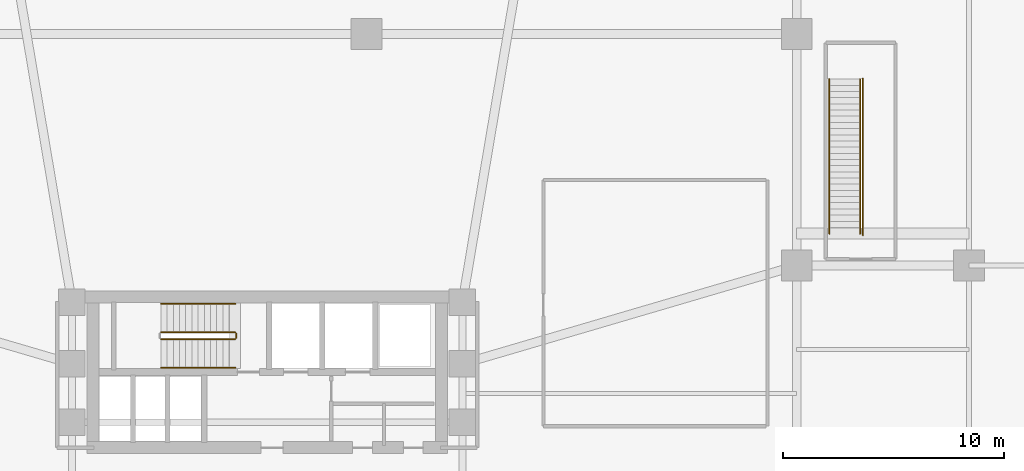
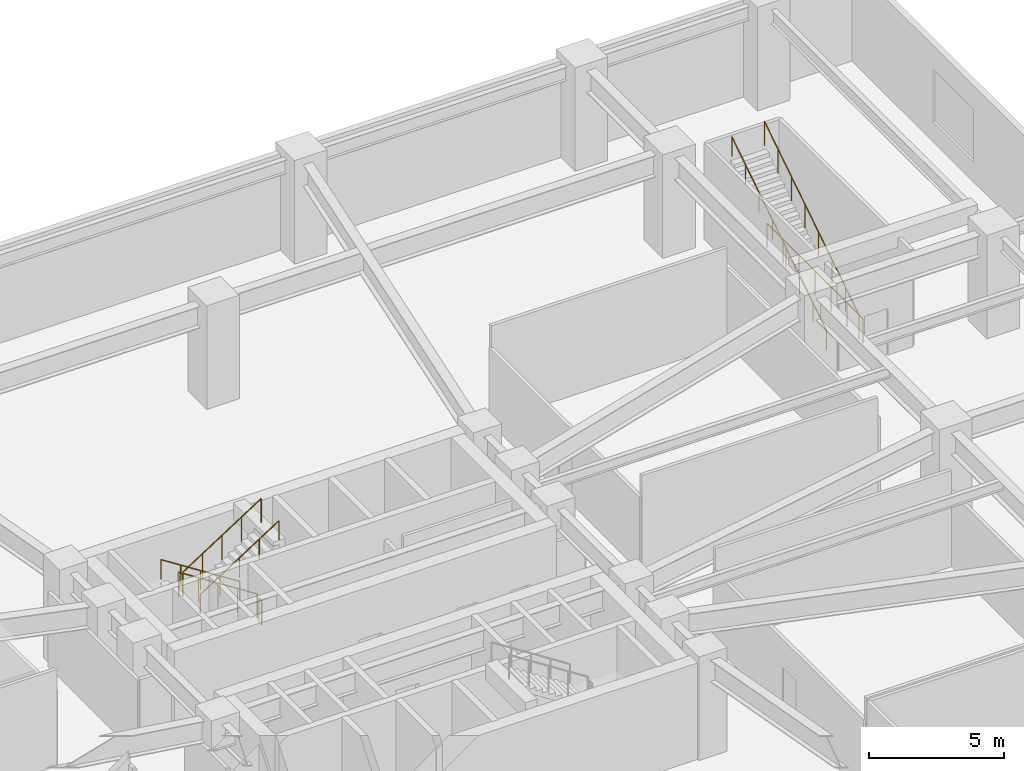
# One storey, part 20 of 21: 8 railings.
"""IFC4 building model written with IfcOpenShell, lengths in metres."""

from ifc_helpers import new_model, si_unit, direction, frame, origin, origin_2d, place, context, subcontext, project, spatial, circle, extrude, material, type_object, element, save


model = new_model("IFC4")

# Units and contexts
model_context = context("Model", 3, precision=1e-05, world=origin(), true_north=direction((0.0, 1.0)))
body_context = subcontext(model_context, "Body", "Model", "MODEL_VIEW")
ifc_project = project(units=[si_unit("LENGTHUNIT", "METRE"), si_unit("AREAUNIT", "SQUARE_METRE"), si_unit("VOLUMEUNIT", "CUBIC_METRE"), si_unit("PLANEANGLEUNIT", "RADIAN"), si_unit("MASSUNIT", "GRAM", prefix="KILO")], contexts=[model_context])

# Site, building, storey
site_placement = place(None, origin())
site = spatial("IfcSite", under=ifc_project, at=site_placement, CompositionType="ELEMENT")
building_placement = place(site_placement, origin())
building = spatial("IfcBuilding", under=site, at=building_placement, Name="Solmarez Civic Tower", CompositionType="ELEMENT")
storey_placement = place(building_placement, frame((0.0, 0.0, 10.080078125)))
storey = spatial("IfcBuildingStorey", under=building, at=storey_placement, Name="L02", CompositionType="ELEMENT", Elevation=10.080078125)

# Railings
ifc_material_1 = material(Name="Painted Steel Stairwell Safety Guard", Category="steel")
railing_type_1 = type_object("IfcRailingType", Name="GUARD-STAIR-1120", PredefinedType="BALUSTRADE", material=ifc_material_1)
railing_1_placement = place(storey_placement, frame((-1.449951171875, 6.969970703125, 0.179931640625)))
element("IfcRailing", 1, at=railing_1_placement, inside=storey, type_object=railing_type_1, Name="L02 ST-1 stair guard 1", PredefinedType="BALUSTRADE", context=body_context, shape_type="SweptSolid", body=[
    extrude(circle(Radius=0.02392578125, at=origin_2d()), frame((0.0, 0.0, 1.09619140625), z_axis=(-0.84119634759, 0.0, 0.540729789082), x_axis=(0.0, -1.0, 0.0)), (0.0, 0.0, 1.0), 3.994384765625),
    extrude(circle(Radius=0.02099609375, at=origin_2d()), origin(), (0.0, 0.0, 1.0), 1.072021484375),
    extrude(circle(Radius=0.02099609375, at=origin_2d()), frame((-0.840087890625, 0.0, 0.5400390625)), (0.0, 0.0, 1.0), 1.072021484375),
    extrude(circle(Radius=0.02099609375, at=origin_2d()), frame((-1.68017578125, 0.0, 1.080078125)), (0.0, 0.0, 1.0), 1.072021484375),
    extrude(circle(Radius=0.02099609375, at=origin_2d()), frame((-2.52001953125, 0.0, 1.619873046875)), (0.0, 0.0, 1.0), 1.072021484375),
    extrude(circle(Radius=0.02099609375, at=origin_2d()), frame((-3.360107421875, 0.0, 2.159912109375)), (0.0, 0.0, 1.0), 1.072021484375),
])
railing_2_placement = place(storey_placement, frame((-4.81005859375, 6.669921875, 2.52001953125)))
element("IfcRailing", 2, at=railing_2_placement, inside=storey, type_object=railing_type_1, Name="L02 ST-1 stair guard 3", PredefinedType="BALUSTRADE", context=body_context, shape_type="SweptSolid", body=[
    extrude(circle(Radius=0.02392578125, at=origin_2d()), frame((0.0, 0.0, 1.09619140625), z_axis=(0.84119634759, 0.0, 0.540729789082), x_axis=(0.0, 1.0, 0.0)), (0.0, 0.0, 1.0), 3.994384765625),
    extrude(circle(Radius=0.02099609375, at=origin_2d()), origin(), (0.0, 0.0, 1.0), 1.072021484375),
    extrude(circle(Radius=0.02099609375, at=origin_2d()), frame((0.840087890625, 0.0, 0.5400390625)), (0.0, 0.0, 1.0), 1.072021484375),
    extrude(circle(Radius=0.02099609375, at=origin_2d()), frame((1.68017578125, 0.0, 1.080078125)), (0.0, 0.0, 1.0), 1.072021484375),
    extrude(circle(Radius=0.02099609375, at=origin_2d()), frame((2.52001953125, 0.0, 1.619873046875)), (0.0, 0.0, 1.0), 1.072021484375),
    extrude(circle(Radius=0.02099609375, at=origin_2d()), frame((3.360107421875, 0.0, 2.159912109375)), (0.0, 0.0, 1.0), 1.072021484375),
])
railing_3_placement = place(storey_placement, frame((-1.39990234375, 6.919921875, 0.0)))
element("IfcRailing", 3, at=railing_3_placement, inside=storey, type_object=railing_type_1, Name="L02 ST-1 stair guard 4", PredefinedType="BALUSTRADE", context=body_context, shape_type="SweptSolid", body=[
    extrude(circle(Radius=0.02392578125, at=origin_2d()), frame((0.0, 0.0, 1.09619140625), z_axis=(0.0, -1.0, 0.0), x_axis=(1.0, 0.0, 0.0)), (0.0, 0.0, 1.0), 0.199951171875),
    extrude(circle(Radius=0.02099609375, at=origin_2d()), origin(), (0.0, 0.0, 1.0), 1.072021484375),
    extrude(circle(Radius=0.02099609375, at=origin_2d()), frame((0.0, -0.199951171875, 0.0)), (0.0, 0.0, 1.0), 1.072021484375),
])
railing_4_placement = place(storey_placement, frame((26.8701171875, 11.449951171875, 0.179931640625)))
element("IfcRailing", 4, at=railing_4_placement, inside=storey, type_object=railing_type_1, Name="L02 Stair ST-P4 Flight Guard", PredefinedType="BALUSTRADE", context=body_context, shape_type="SweptSolid", body=[
    extrude(circle(Radius=0.02392578125, at=origin_2d()), frame((0.0, 0.0, 1.09619140625), z_axis=(0.0, 0.841178475377, 0.540757591313), x_axis=(-1.0, 0.0, 0.0)), (0.0, 0.0, 1.0), 8.32177734375),
    extrude(circle(Radius=0.02099609375, at=origin_2d()), origin(), (0.0, 0.0, 1.0), 1.072021484375),
    extrude(circle(Radius=0.02099609375, at=origin_2d()), frame((0.0, 1.0, 0.642822265625)), (0.0, 0.0, 1.0), 1.072021484375),
    extrude(circle(Radius=0.02099609375, at=origin_2d()), frame((0.0, 2.0, 1.28564453125)), (0.0, 0.0, 1.0), 1.072021484375),
    extrude(circle(Radius=0.02099609375, at=origin_2d()), frame((0.0, 3.0, 1.928466796875)), (0.0, 0.0, 1.0), 1.072021484375),
    extrude(circle(Radius=0.02099609375, at=origin_2d()), frame((0.0, 4.0, 2.571533203125)), (0.0, 0.0, 1.0), 1.072021484375),
    extrude(circle(Radius=0.02099609375, at=origin_2d()), frame((0.0, 5.0, 3.21435546875)), (0.0, 0.0, 1.0), 1.072021484375),
    extrude(circle(Radius=0.02099609375, at=origin_2d()), frame((0.0, 6.0, 3.857177734375)), (0.0, 0.0, 1.0), 1.072021484375),
    extrude(circle(Radius=0.02099609375, at=origin_2d()), frame((0.0, 7.0, 4.5)), (0.0, 0.0, 1.0), 1.072021484375),
])
railing_5_placement = place(storey_placement, frame((27.0, 11.3798828125, 0.0)))
element("IfcRailing", 5, at=railing_5_placement, inside=storey, type_object=railing_type_1, Name="L02 Stair ST-P4 Walkway Well Guard", PredefinedType="BALUSTRADE", context=body_context, shape_type="SweptSolid", body=[
    extrude(circle(Radius=0.02392578125, at=origin_2d()), frame((0.0, 0.0, 1.09619140625), z_axis=(0.0, 1.0, 0.0), x_axis=(-1.0, 0.0, 0.0)), (0.0, 0.0, 1.0), 7.10009765625),
    extrude(circle(Radius=0.02099609375, at=origin_2d()), origin(), (0.0, 0.0, 1.0), 1.072021484375),
    extrude(circle(Radius=0.02099609375, at=origin_2d()), frame((0.0, 1.183349609375, 0.0)), (0.0, 0.0, 1.0), 1.072021484375),
    extrude(circle(Radius=0.02099609375, at=origin_2d()), frame((0.0, 2.36669921875, 0.0)), (0.0, 0.0, 1.0), 1.072021484375),
    extrude(circle(Radius=0.02099609375, at=origin_2d()), frame((0.0, 3.550048828125, 0.0)), (0.0, 0.0, 1.0), 1.072021484375),
    extrude(circle(Radius=0.02099609375, at=origin_2d()), frame((0.0, 4.7333984375, 0.0)), (0.0, 0.0, 1.0), 1.072021484375),
    extrude(circle(Radius=0.02099609375, at=origin_2d()), frame((0.0, 5.916748046875, 0.0)), (0.0, 0.0, 1.0), 1.072021484375),
    extrude(circle(Radius=0.02099609375, at=origin_2d()), frame((0.0, 7.10009765625, 0.0)), (0.0, 0.0, 1.0), 1.072021484375),
])
ifc_material_2 = material(Name="Brushed Stainless Steel Tube Handrail", Category="steel")
railing_type_2 = type_object("IfcRailingType", Name="HANDRAIL-STAIR-900", PredefinedType="HANDRAIL", material=ifc_material_2)
railing_6_placement = place(storey_placement, frame((-1.449951171875, 8.27001953125, 0.179931640625)))
element("IfcRailing", 6, at=railing_6_placement, inside=storey, type_object=railing_type_2, Name="L02 ST-1 stair handrail 1", PredefinedType="HANDRAIL", context=body_context, shape_type="SweptSolid", body=[
    extrude(circle(Radius=0.02392578125, at=origin_2d()), frame((0.0, 0.0, 0.8759765625), z_axis=(-0.84119634759, 0.0, 0.540729789082), x_axis=(0.0, -1.0, 0.0)), (0.0, 0.0, 1.0), 3.994384765625),
    extrude(circle(Radius=0.02099609375, at=origin_2d()), origin(), (0.0, 0.0, 1.0), 0.851806640625),
    extrude(circle(Radius=0.02099609375, at=origin_2d()), frame((-0.840087890625, 0.0, 0.5400390625)), (0.0, 0.0, 1.0), 0.851806640625),
    extrude(circle(Radius=0.02099609375, at=origin_2d()), frame((-1.68017578125, 0.0, 1.080078125)), (0.0, 0.0, 1.0), 0.851806640625),
    extrude(circle(Radius=0.02099609375, at=origin_2d()), frame((-2.52001953125, 0.0, 1.619873046875)), (0.0, 0.0, 1.0), 0.851806640625),
    extrude(circle(Radius=0.02099609375, at=origin_2d()), frame((-3.360107421875, 0.0, 2.159912109375)), (0.0, 0.0, 1.0), 0.851806640625),
])
railing_7_placement = place(storey_placement, frame((-4.81005859375, 5.3701171875, 2.52001953125)))
element("IfcRailing", 7, at=railing_7_placement, inside=storey, type_object=railing_type_2, Name="L02 ST-1 stair handrail 2", PredefinedType="HANDRAIL", context=body_context, shape_type="SweptSolid", body=[
    extrude(circle(Radius=0.02392578125, at=origin_2d()), frame((0.0, 0.0, 0.8759765625), z_axis=(0.84119634759, 0.0, 0.540729789082), x_axis=(0.0, 1.0, 0.0)), (0.0, 0.0, 1.0), 3.994384765625),
    extrude(circle(Radius=0.02099609375, at=origin_2d()), origin(), (0.0, 0.0, 1.0), 0.851806640625),
    extrude(circle(Radius=0.02099609375, at=origin_2d()), frame((0.840087890625, 0.0, 0.5400390625)), (0.0, 0.0, 1.0), 0.851806640625),
    extrude(circle(Radius=0.02099609375, at=origin_2d()), frame((1.68017578125, 0.0, 1.080078125)), (0.0, 0.0, 1.0), 0.851806640625),
    extrude(circle(Radius=0.02099609375, at=origin_2d()), frame((2.52001953125, 0.0, 1.619873046875)), (0.0, 0.0, 1.0), 0.851806640625),
    extrude(circle(Radius=0.02099609375, at=origin_2d()), frame((3.360107421875, 0.0, 2.159912109375)), (0.0, 0.0, 1.0), 0.851806640625),
])
railing_8_placement = place(storey_placement, frame((25.47998046875, 11.449951171875, 0.179931640625)))
element("IfcRailing", 8, at=railing_8_placement, inside=storey, type_object=railing_type_2, Name="L02 Stair ST-P4 Handrail", PredefinedType="HANDRAIL", context=body_context, shape_type="SweptSolid", body=[
    extrude(circle(Radius=0.02392578125, at=origin_2d()), frame((0.0, 0.0, 0.8759765625), z_axis=(0.0, 0.841178475377, 0.540757591313), x_axis=(-1.0, 0.0, 0.0)), (0.0, 0.0, 1.0), 8.32177734375),
    extrude(circle(Radius=0.02099609375, at=origin_2d()), origin(), (0.0, 0.0, 1.0), 0.851806640625),
    extrude(circle(Radius=0.02099609375, at=origin_2d()), frame((0.0, 1.0, 0.642822265625)), (0.0, 0.0, 1.0), 0.851806640625),
    extrude(circle(Radius=0.02099609375, at=origin_2d()), frame((0.0, 2.0, 1.28564453125)), (0.0, 0.0, 1.0), 0.851806640625),
    extrude(circle(Radius=0.02099609375, at=origin_2d()), frame((0.0, 3.0, 1.928466796875)), (0.0, 0.0, 1.0), 0.851806640625),
    extrude(circle(Radius=0.02099609375, at=origin_2d()), frame((0.0, 4.0, 2.571533203125)), (0.0, 0.0, 1.0), 0.851806640625),
    extrude(circle(Radius=0.02099609375, at=origin_2d()), frame((0.0, 5.0, 3.21435546875)), (0.0, 0.0, 1.0), 0.851806640625),
    extrude(circle(Radius=0.02099609375, at=origin_2d()), frame((0.0, 6.0, 3.857177734375)), (0.0, 0.0, 1.0), 0.851806640625),
    extrude(circle(Radius=0.02099609375, at=origin_2d()), frame((0.0, 7.0, 4.5)), (0.0, 0.0, 1.0), 0.851806640625),
])

save(model, "model.ifc")
